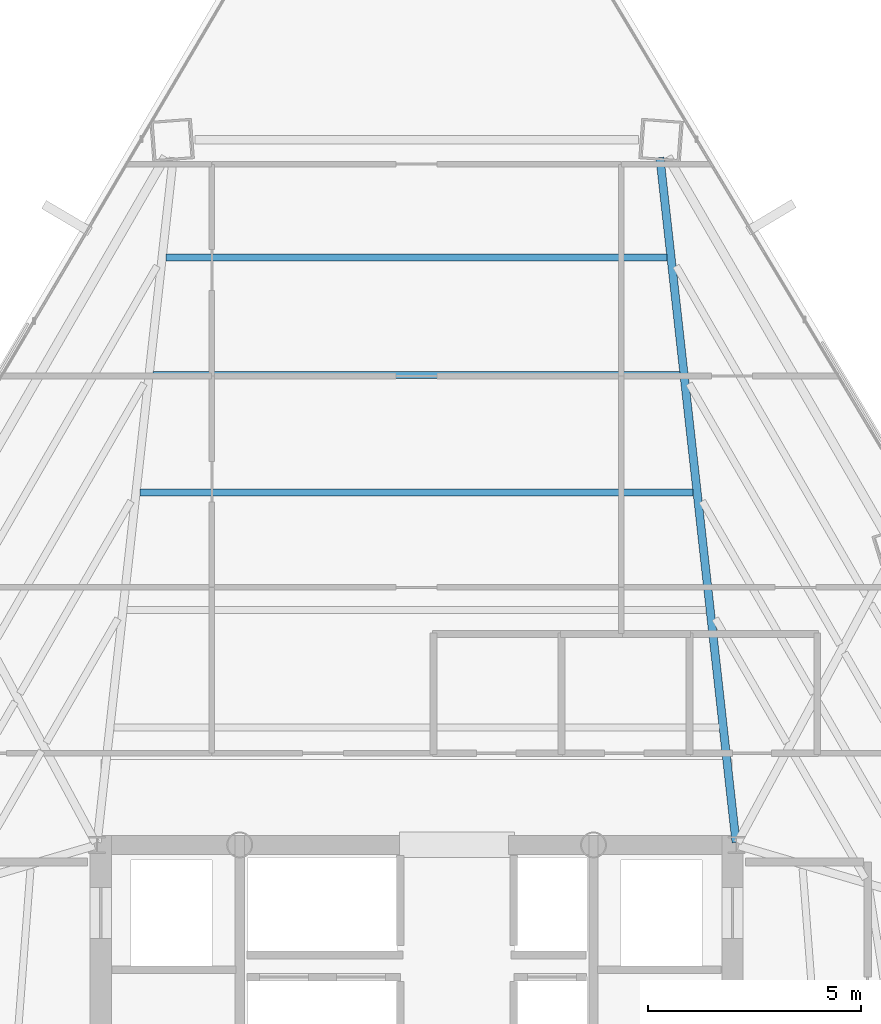
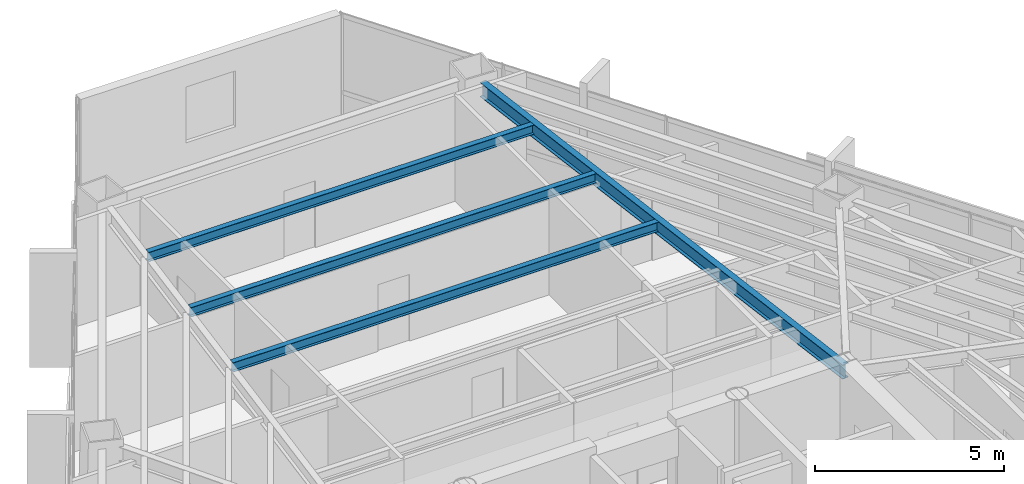
# One storey, part 28 of 40: 4 beams.
"""IFC4 building model written with IfcOpenShell, lengths in metres."""

from ifc_helpers import new_model, si_unit, direction, frame, origin, origin_2d, place, context, subcontext, project, spatial, i_section, extrude, source, transform, mapped, material, material_profile, profile_set, type_object, type_shapes, element, save


model = new_model("IFC4")

# Units and contexts
model_context = context("Model", 3, precision=1e-05, world=origin(), true_north=direction((0.0, 1.0)))
body_context = subcontext(model_context, "Body", "Model", "MODEL_VIEW")
ifc_project = project(units=[si_unit("LENGTHUNIT", "METRE"), si_unit("AREAUNIT", "SQUARE_METRE"), si_unit("VOLUMEUNIT", "CUBIC_METRE"), si_unit("PLANEANGLEUNIT", "RADIAN"), si_unit("MASSUNIT", "GRAM", prefix="KILO")], contexts=[model_context])

# Site, building, storey
site_placement = place(None, origin())
site = spatial("IfcSite", under=ifc_project, at=site_placement, CompositionType="ELEMENT")
building_placement = place(site_placement, origin())
building = spatial("IfcBuilding", under=site, at=building_placement, Name="Caelisora Broadcast Tower", CompositionType="ELEMENT")
storey_placement = place(building_placement, frame((0.0, 0.0, 176.75)))
storey = spatial("IfcBuildingStorey", under=building, at=storey_placement, Name="L46", CompositionType="ELEMENT", Elevation=176.75)

# Beams
ifc_material = material(Name="Steel Grade 350 (AS/NZS 3679.1)", Category="steel")
ifc_material_profile_1 = material_profile(ifc_material, i_section(OverallWidth=0.19091796875, OverallDepth=0.46044921875, WebThickness=0.010009765625, FlangeThickness=0.01611328125, at=origin_2d()), Name="Steel Grade 350 (AS/NZS 3679.1)")
ifc_profile_set_1 = profile_set([ifc_material_profile_1], Name="Steel Grade 350 (AS/NZS 3679.1)")
beam_type_1 = type_object("IfcBeamType", Name="PG06", PredefinedType="BEAM", material=ifc_profile_set_1)
shared_shape_1 = source(origin(), body_context, "Body", "SweptSolid", [
    extrude(i_section(OverallWidth=0.19091796875, OverallDepth=0.46044921875, WebThickness=0.010009765625, FlangeThickness=0.01611328125, at=origin_2d()), origin(), (0.0, 0.0, 1.0), 16.162841796875),
])
type_shapes(beam_type_1, [shared_shape_1])
beam_1_placement = place(storey_placement, frame((45.493408203125, 30.0595703125, 3.169921875), z_axis=(-0.110463025516, 0.99388023423, 0.0), x_axis=(-0.99388023423, -0.110463025516, 0.0)))
element("IfcBeam", 1, at=beam_1_placement, inside=storey, type_object=beam_type_1, Name="L46 beam PG06", PredefinedType="BEAM", context=body_context, shape_type="MappedRepresentation", body=[
    mapped(shared_shape_1, transform((0.0, 0.0, 0.0), scale=1.0)),
])
ifc_material_profile_2 = material_profile(ifc_material, i_section(OverallWidth=0.166015625, OverallDepth=0.30712890625, WebThickness=0.006591796875, FlangeThickness=0.01171875, at=origin_2d()), Name="Steel Grade 350 (AS/NZS 3679.1)")
ifc_profile_set_2 = profile_set([ifc_material_profile_2], Name="Steel Grade 350 (AS/NZS 3679.1)")
beam_type_2 = type_object("IfcBeamType", Name="SB03", PredefinedType="JOIST", material=ifc_profile_set_2)
shared_shape_2 = source(origin(), body_context, "Body", "SweptSolid", [
    extrude(i_section(OverallWidth=0.166015625, OverallDepth=0.30712890625, WebThickness=0.006591796875, FlangeThickness=0.01171875, at=origin_2d()), origin(), (0.0, 0.0, 1.0), 12.97509765625),
])
beam_2_placement = place(storey_placement, frame((44.487548828125, 38.2705078125, 3.246337890625), z_axis=(-1.0, 0.0, 0.0), x_axis=(0.0, -1.0, 0.0)))
element("IfcBeam", 2, at=beam_2_placement, inside=storey, type_object=beam_type_2, Name="L46 beam SB03", PredefinedType="JOIST", context=body_context, shape_type="MappedRepresentation", body=[
    mapped(shared_shape_2, transform((0.0, 0.0, 0.0), scale=1.0)),
])
shared_shape_3 = source(origin(), body_context, "Body", "SweptSolid", [
    extrude(i_section(OverallWidth=0.166015625, OverallDepth=0.30712890625, WebThickness=0.006591796875, FlangeThickness=0.01171875, at=origin_2d()), origin(), (0.0, 0.0, 1.0), 12.3623046875),
])
beam_3_placement = place(storey_placement, frame((44.18115234375, 41.02734375, 3.246337890625), z_axis=(-1.0, 0.0, 0.0), x_axis=(0.0, -1.0, 0.0)))
element("IfcBeam", 3, at=beam_3_placement, inside=storey, type_object=beam_type_2, Name="L46 beam SB03", PredefinedType="JOIST", context=body_context, shape_type="MappedRepresentation", body=[
    mapped(shared_shape_3, transform((0.0, 0.0, 0.0), scale=1.0)),
])
shared_shape_4 = source(origin(), body_context, "Body", "SweptSolid", [
    extrude(i_section(OverallWidth=0.166015625, OverallDepth=0.30712890625, WebThickness=0.006591796875, FlangeThickness=0.01171875, at=origin_2d()), origin(), (0.0, 0.0, 1.0), 11.74951171875),
])
type_shapes(beam_type_2, [shared_shape_2, shared_shape_3, shared_shape_4])
beam_4_placement = place(storey_placement, frame((43.874755859375, 43.7841796875, 3.246337890625), z_axis=(-1.0, 0.0, 0.0), x_axis=(0.0, -1.0, 0.0)))
element("IfcBeam", 4, at=beam_4_placement, inside=storey, type_object=beam_type_2, Name="L46 beam SB03", PredefinedType="JOIST", context=body_context, shape_type="MappedRepresentation", body=[
    mapped(shared_shape_4, transform((0.0, 0.0, 0.0), scale=1.0)),
])

save(model, "model.ifc")
